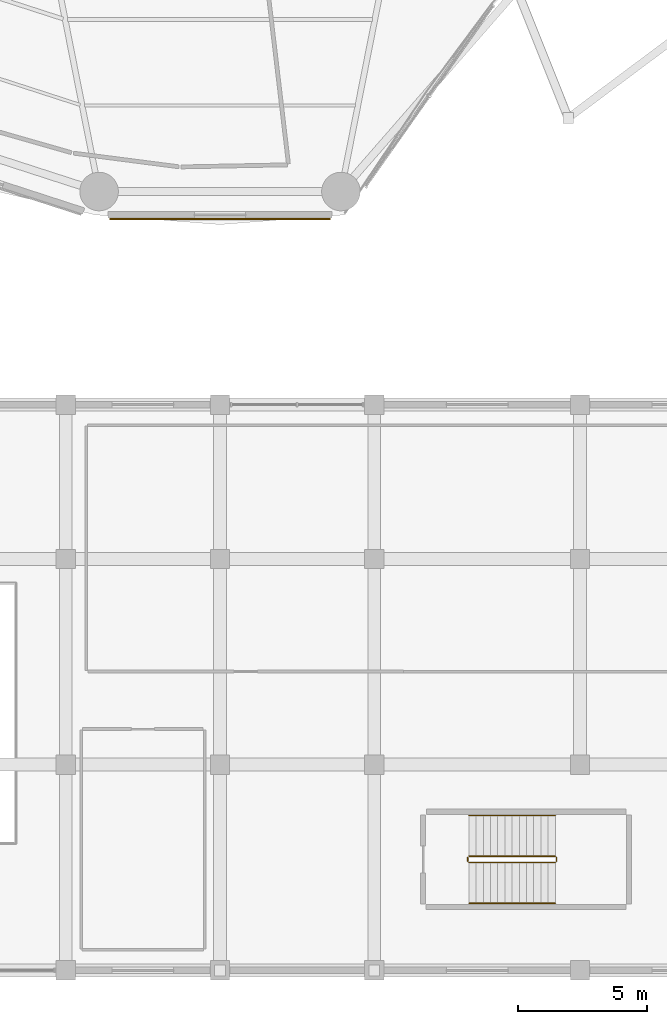
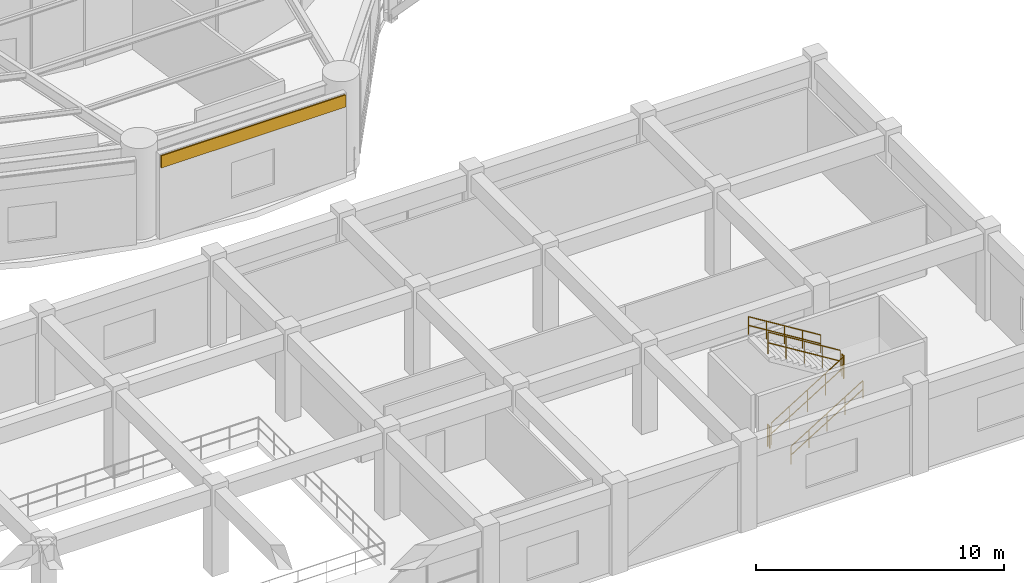
# One storey, part 51 of 55: 6 railings, 1 covering.
"""IFC4 building model written with IfcOpenShell, lengths in metres."""

from ifc_helpers import new_model, si_unit, direction, frame, origin, origin_2d, place, context, subcontext, project, spatial, polyline, rectangle, outline, extrude, source, transform, mapped, material, layer, layer_set, type_object, element, save


model = new_model("IFC4")

# Units and contexts
model_context = context("Model", 3, precision=1e-05, world=origin(), true_north=direction((0.0, 1.0)))
body_context = subcontext(model_context, "Body", "Model", "MODEL_VIEW")
ifc_project = project(units=[si_unit("LENGTHUNIT", "METRE"), si_unit("AREAUNIT", "SQUARE_METRE"), si_unit("VOLUMEUNIT", "CUBIC_METRE"), si_unit("PLANEANGLEUNIT", "RADIAN"), si_unit("MASSUNIT", "GRAM", prefix="KILO")], contexts=[model_context])

# Site, building, storey
site_placement = place(None, origin())
site = spatial("IfcSite", under=ifc_project, at=site_placement, CompositionType="ELEMENT")
building_placement = place(site_placement, origin())
building = spatial("IfcBuilding", under=site, at=building_placement, Name="Kelanora Arch Commons", CompositionType="ELEMENT")
storey_placement = place(building_placement, frame((0.0, 0.0, 4.5)))
storey = spatial("IfcBuildingStorey", under=building, at=storey_placement, Name="L01", CompositionType="ELEMENT", Elevation=4.5)

# Railings
ifc_material_1 = material(Name="Painted steel stair well guard", Category="steel")
railing_type_1 = type_object("IfcRailingType", Name="RAIL-STAIR-GRD", PredefinedType="GUARDRAIL", material=ifc_material_1)
railing_1_placement = place(storey_placement, frame((83.679931640625, 8.18994140625, 0.173095703125)))
element("IfcRailing", 1, at=railing_1_placement, inside=storey, type_object=railing_type_1, Name="L01 ST-M2 stair guard 1", PredefinedType="GUARDRAIL", context=body_context, shape_type="SweptSolid", body=[
    extrude(outline(polyline([(0.02392578125, 0.0), (0.011962890625, 0.020751953125), (-0.011962890625, 0.020751953125), (-0.02392578125, 0.0), (-0.011962890625, -0.020751953125), (0.011962890625, -0.020751953125), (0.02392578125, 0.0)])), frame((0.0, 0.0, 1.076171875), z_axis=(0.850623216509, 0.0, 0.525775754039), x_axis=(0.0, 1.0, 0.0)), (0.0, 0.0, 1.0), 3.9501953125),
    extrude(outline(polyline([(0.02392578125, 0.0), (0.011962890625, 0.020751953125), (-0.011962890625, 0.020751953125), (-0.02392578125, 0.0), (-0.011962890625, -0.020751953125), (0.011962890625, -0.020751953125), (0.02392578125, 0.0)])), frame((0.0, 0.0, 0.550048828125), z_axis=(0.850623216509, 0.0, 0.525775754039), x_axis=(0.0, 1.0, 0.0)), (0.0, 0.0, 1.0), 3.9501953125),
    extrude(outline(polyline([(0.02099609375, 0.0), (0.010498046875, 0.01806640625), (-0.010498046875, 0.01806640625), (-0.02099609375, 0.0), (-0.010498046875, -0.01806640625), (0.010498046875, -0.01806640625), (0.02099609375, 0.0)])), origin(), (0.0, 0.0, 1.0), 1.052001953125),
    extrude(outline(polyline([(0.02099609375, 0.0), (0.010498046875, 0.01806640625), (-0.010498046875, 0.01806640625), (-0.02099609375, 0.0), (-0.010498046875, -0.01806640625), (0.010498046875, -0.01806640625), (0.02099609375, 0.0)])), frame((0.840087890625, 0.0, 0.519287109375)), (0.0, 0.0, 1.0), 1.052001953125),
    extrude(outline(polyline([(0.02099609375, 0.0), (0.010498046875, 0.01806640625), (-0.010498046875, 0.01806640625), (-0.02099609375, 0.0), (-0.010498046875, -0.01806640625), (0.010498046875, -0.01806640625), (0.02099609375, 0.0)])), frame((1.68017578125, 0.0, 1.03857421875)), (0.0, 0.0, 1.0), 1.052001953125),
    extrude(outline(polyline([(0.02099609375, 0.0), (0.010498046875, 0.01806640625), (-0.010498046875, 0.01806640625), (-0.02099609375, 0.0), (-0.010498046875, -0.01806640625), (0.010498046875, -0.01806640625), (0.02099609375, 0.0)])), frame((2.52001953125, 0.0, 1.5576171875)), (0.0, 0.0, 1.0), 1.052001953125),
    extrude(outline(polyline([(0.02099609375, 0.0), (0.010498046875, 0.01806640625), (-0.010498046875, 0.01806640625), (-0.02099609375, 0.0), (-0.010498046875, -0.01806640625), (0.010498046875, -0.01806640625), (0.02099609375, 0.0)])), frame((3.360107421875, 0.0, 2.076904296875)), (0.0, 0.0, 1.0), 1.052001953125),
])
railing_2_placement = place(storey_placement, frame((87.090087890625, 8.239990234375, 2.25)))
element("IfcRailing", 2, at=railing_2_placement, inside=storey, type_object=railing_type_1, Name="L01 ST-M2 stair guard 2", PredefinedType="GUARDRAIL", context=body_context, shape_type="SweptSolid", body=[
    extrude(outline(polyline([(0.02392578125, 0.0), (0.011962890625, 0.020751953125), (-0.011962890625, 0.020751953125), (-0.02392578125, 0.0), (-0.011962890625, -0.020751953125), (0.011962890625, -0.020751953125), (0.02392578125, 0.0)])), frame((0.0, 0.0, 1.076171875), z_axis=(0.0, 1.0, 0.0), x_axis=(-1.0, 0.0, 0.0)), (0.0, 0.0, 1.0), 0.14990234375),
    extrude(outline(polyline([(0.02392578125, 0.0), (0.011962890625, 0.020751953125), (-0.011962890625, 0.020751953125), (-0.02392578125, 0.0), (-0.011962890625, -0.020751953125), (0.011962890625, -0.020751953125), (0.02392578125, 0.0)])), frame((0.0, 0.0, 0.550048828125), z_axis=(0.0, 1.0, 0.0), x_axis=(-1.0, 0.0, 0.0)), (0.0, 0.0, 1.0), 0.14990234375),
    extrude(outline(polyline([(0.02099609375, 0.0), (0.010498046875, 0.01806640625), (-0.010498046875, 0.01806640625), (-0.02099609375, 0.0), (-0.010498046875, -0.01806640625), (0.010498046875, -0.01806640625), (0.02099609375, 0.0)])), origin(), (0.0, 0.0, 1.0), 1.052001953125),
    extrude(outline(polyline([(0.02099609375, 0.0), (0.010498046875, 0.01806640625), (-0.010498046875, 0.01806640625), (-0.02099609375, 0.0), (-0.010498046875, -0.01806640625), (0.010498046875, -0.01806640625), (0.02099609375, 0.0)])), frame((0.0, 0.14990234375, 0.0)), (0.0, 0.0, 1.0), 1.052001953125),
])
railing_3_placement = place(storey_placement, frame((87.0400390625, 8.43994140625, 2.423095703125)))
element("IfcRailing", 3, at=railing_3_placement, inside=storey, type_object=railing_type_1, Name="L01 ST-M2 stair guard 3", PredefinedType="GUARDRAIL", context=body_context, shape_type="SweptSolid", body=[
    extrude(outline(polyline([(0.02392578125, 0.0), (0.011962890625, 0.020751953125), (-0.011962890625, 0.020751953125), (-0.02392578125, 0.0), (-0.011962890625, -0.020751953125), (0.011962890625, -0.020751953125), (0.02392578125, 0.0)])), frame((0.0, 0.0, 1.076171875), z_axis=(-0.850623216509, 0.0, 0.525775754039), x_axis=(0.0, -1.0, 0.0)), (0.0, 0.0, 1.0), 3.9501953125),
    extrude(outline(polyline([(0.02392578125, 0.0), (0.011962890625, 0.020751953125), (-0.011962890625, 0.020751953125), (-0.02392578125, 0.0), (-0.011962890625, -0.020751953125), (0.011962890625, -0.020751953125), (0.02392578125, 0.0)])), frame((0.0, 0.0, 0.550048828125), z_axis=(-0.850623216509, 0.0, 0.525775754039), x_axis=(0.0, -1.0, 0.0)), (0.0, 0.0, 1.0), 3.9501953125),
    extrude(outline(polyline([(0.02099609375, 0.0), (0.010498046875, 0.01806640625), (-0.010498046875, 0.01806640625), (-0.02099609375, 0.0), (-0.010498046875, -0.01806640625), (0.010498046875, -0.01806640625), (0.02099609375, 0.0)])), origin(), (0.0, 0.0, 1.0), 1.052001953125),
    extrude(outline(polyline([(0.02099609375, 0.0), (0.010498046875, 0.01806640625), (-0.010498046875, 0.01806640625), (-0.02099609375, 0.0), (-0.010498046875, -0.01806640625), (0.010498046875, -0.01806640625), (0.02099609375, 0.0)])), frame((-0.840087890625, 0.0, 0.519287109375)), (0.0, 0.0, 1.0), 1.052001953125),
    extrude(outline(polyline([(0.02099609375, 0.0), (0.010498046875, 0.01806640625), (-0.010498046875, 0.01806640625), (-0.02099609375, 0.0), (-0.010498046875, -0.01806640625), (0.010498046875, -0.01806640625), (0.02099609375, 0.0)])), frame((-1.68017578125, 0.0, 1.03857421875)), (0.0, 0.0, 1.0), 1.052001953125),
    extrude(outline(polyline([(0.02099609375, 0.0), (0.010498046875, 0.01806640625), (-0.010498046875, 0.01806640625), (-0.02099609375, 0.0), (-0.010498046875, -0.01806640625), (0.010498046875, -0.01806640625), (0.02099609375, 0.0)])), frame((-2.52001953125, 0.0, 1.5576171875)), (0.0, 0.0, 1.0), 1.052001953125),
    extrude(outline(polyline([(0.02099609375, 0.0), (0.010498046875, 0.01806640625), (-0.010498046875, 0.01806640625), (-0.02099609375, 0.0), (-0.010498046875, -0.01806640625), (0.010498046875, -0.01806640625), (0.02099609375, 0.0)])), frame((-3.360107421875, 0.0, 2.076904296875)), (0.0, 0.0, 1.0), 1.052001953125),
])
railing_4_placement = place(storey_placement, frame((83.6298828125, 8.239990234375, 0.0)))
element("IfcRailing", 4, at=railing_4_placement, inside=storey, type_object=railing_type_1, Name="L01 ST-M2 stair guard 4", PredefinedType="GUARDRAIL", context=body_context, shape_type="SweptSolid", body=[
    extrude(outline(polyline([(0.02392578125, 0.0), (0.011962890625, 0.020751953125), (-0.011962890625, 0.020751953125), (-0.02392578125, 0.0), (-0.011962890625, -0.020751953125), (0.011962890625, -0.020751953125), (0.02392578125, 0.0)])), frame((0.0, 0.0, 1.076171875), z_axis=(0.0, 1.0, 0.0), x_axis=(-1.0, 0.0, 0.0)), (0.0, 0.0, 1.0), 0.14990234375),
    extrude(outline(polyline([(0.02392578125, 0.0), (0.011962890625, 0.020751953125), (-0.011962890625, 0.020751953125), (-0.02392578125, 0.0), (-0.011962890625, -0.020751953125), (0.011962890625, -0.020751953125), (0.02392578125, 0.0)])), frame((0.0, 0.0, 0.550048828125), z_axis=(0.0, 1.0, 0.0), x_axis=(-1.0, 0.0, 0.0)), (0.0, 0.0, 1.0), 0.14990234375),
    extrude(outline(polyline([(0.02099609375, 0.0), (0.010498046875, 0.01806640625), (-0.010498046875, 0.01806640625), (-0.02099609375, 0.0), (-0.010498046875, -0.01806640625), (0.010498046875, -0.01806640625), (0.02099609375, 0.0)])), origin(), (0.0, 0.0, 1.0), 1.052001953125),
    extrude(outline(polyline([(0.02099609375, 0.0), (0.010498046875, 0.01806640625), (-0.010498046875, 0.01806640625), (-0.02099609375, 0.0), (-0.010498046875, -0.01806640625), (0.010498046875, -0.01806640625), (0.02099609375, 0.0)])), frame((0.0, 0.14990234375, 0.0)), (0.0, 0.0, 1.0), 1.052001953125),
])
ifc_material_2 = material(Name="Brushed stainless steel stair handrail", Category="steel")
railing_type_2 = type_object("IfcRailingType", Name="RAIL-STAIR-HND", PredefinedType="HANDRAIL", material=ifc_material_2)
railing_5_placement = place(storey_placement, frame((83.679931640625, 6.610107421875, 0.173095703125)))
element("IfcRailing", 5, at=railing_5_placement, inside=storey, type_object=railing_type_2, Name="L01 ST-M2 stair handrail 1", PredefinedType="HANDRAIL", context=body_context, shape_type="SweptSolid", body=[
    extrude(outline(polyline([(0.02392578125, 0.0), (0.011962890625, 0.020751953125), (-0.011962890625, 0.020751953125), (-0.02392578125, 0.0), (-0.011962890625, -0.020751953125), (0.011962890625, -0.020751953125), (0.02392578125, 0.0)])), frame((0.0, 0.0, 0.8759765625), z_axis=(0.850623216509, 0.0, 0.525775754039), x_axis=(0.0, 1.0, 0.0)), (0.0, 0.0, 1.0), 3.9501953125),
    extrude(outline(polyline([(0.02392578125, 0.0), (0.011962890625, 0.020751953125), (-0.011962890625, 0.020751953125), (-0.02392578125, 0.0), (-0.011962890625, -0.020751953125), (0.011962890625, -0.020751953125), (0.02392578125, 0.0)])), frame((0.0, 0.0, 0.449951171875), z_axis=(0.850623216509, 0.0, 0.525775754039), x_axis=(0.0, 1.0, 0.0)), (0.0, 0.0, 1.0), 3.9501953125),
    extrude(outline(polyline([(0.02099609375, 0.0), (0.010498046875, 0.01806640625), (-0.010498046875, 0.01806640625), (-0.02099609375, 0.0), (-0.010498046875, -0.01806640625), (0.010498046875, -0.01806640625), (0.02099609375, 0.0)])), origin(), (0.0, 0.0, 1.0), 0.851806640625),
    extrude(outline(polyline([(0.02099609375, 0.0), (0.010498046875, 0.01806640625), (-0.010498046875, 0.01806640625), (-0.02099609375, 0.0), (-0.010498046875, -0.01806640625), (0.010498046875, -0.01806640625), (0.02099609375, 0.0)])), frame((0.840087890625, 0.0, 0.519287109375)), (0.0, 0.0, 1.0), 0.851806640625),
    extrude(outline(polyline([(0.02099609375, 0.0), (0.010498046875, 0.01806640625), (-0.010498046875, 0.01806640625), (-0.02099609375, 0.0), (-0.010498046875, -0.01806640625), (0.010498046875, -0.01806640625), (0.02099609375, 0.0)])), frame((1.68017578125, 0.0, 1.03857421875)), (0.0, 0.0, 1.0), 0.851806640625),
    extrude(outline(polyline([(0.02099609375, 0.0), (0.010498046875, 0.01806640625), (-0.010498046875, 0.01806640625), (-0.02099609375, 0.0), (-0.010498046875, -0.01806640625), (0.010498046875, -0.01806640625), (0.02099609375, 0.0)])), frame((2.52001953125, 0.0, 1.5576171875)), (0.0, 0.0, 1.0), 0.851806640625),
    extrude(outline(polyline([(0.02099609375, 0.0), (0.010498046875, 0.01806640625), (-0.010498046875, 0.01806640625), (-0.02099609375, 0.0), (-0.010498046875, -0.01806640625), (0.010498046875, -0.01806640625), (0.02099609375, 0.0)])), frame((3.360107421875, 0.0, 2.076904296875)), (0.0, 0.0, 1.0), 0.851806640625),
])
railing_6_placement = place(storey_placement, frame((87.0400390625, 10.02001953125, 2.423095703125)))
element("IfcRailing", 6, at=railing_6_placement, inside=storey, type_object=railing_type_2, Name="L01 ST-M2 stair handrail 2", PredefinedType="HANDRAIL", context=body_context, shape_type="SweptSolid", body=[
    extrude(outline(polyline([(0.02392578125, 0.0), (0.011962890625, 0.020751953125), (-0.011962890625, 0.020751953125), (-0.02392578125, 0.0), (-0.011962890625, -0.020751953125), (0.011962890625, -0.020751953125), (0.02392578125, 0.0)])), frame((0.0, 0.0, 0.8759765625), z_axis=(-0.850623216509, 0.0, 0.525775754039), x_axis=(0.0, -1.0, 0.0)), (0.0, 0.0, 1.0), 3.9501953125),
    extrude(outline(polyline([(0.02392578125, 0.0), (0.011962890625, 0.020751953125), (-0.011962890625, 0.020751953125), (-0.02392578125, 0.0), (-0.011962890625, -0.020751953125), (0.011962890625, -0.020751953125), (0.02392578125, 0.0)])), frame((0.0, 0.0, 0.449951171875), z_axis=(-0.850623216509, 0.0, 0.525775754039), x_axis=(0.0, -1.0, 0.0)), (0.0, 0.0, 1.0), 3.9501953125),
    extrude(outline(polyline([(0.02099609375, 0.0), (0.010498046875, 0.01806640625), (-0.010498046875, 0.01806640625), (-0.02099609375, 0.0), (-0.010498046875, -0.01806640625), (0.010498046875, -0.01806640625), (0.02099609375, 0.0)])), origin(), (0.0, 0.0, 1.0), 0.851806640625),
    extrude(outline(polyline([(0.02099609375, 0.0), (0.010498046875, 0.01806640625), (-0.010498046875, 0.01806640625), (-0.02099609375, 0.0), (-0.010498046875, -0.01806640625), (0.010498046875, -0.01806640625), (0.02099609375, 0.0)])), frame((-0.840087890625, 0.0, 0.519287109375)), (0.0, 0.0, 1.0), 0.851806640625),
    extrude(outline(polyline([(0.02099609375, 0.0), (0.010498046875, 0.01806640625), (-0.010498046875, 0.01806640625), (-0.02099609375, 0.0), (-0.010498046875, -0.01806640625), (0.010498046875, -0.01806640625), (0.02099609375, 0.0)])), frame((-1.68017578125, 0.0, 1.03857421875)), (0.0, 0.0, 1.0), 0.851806640625),
    extrude(outline(polyline([(0.02099609375, 0.0), (0.010498046875, 0.01806640625), (-0.010498046875, 0.01806640625), (-0.02099609375, 0.0), (-0.010498046875, -0.01806640625), (0.010498046875, -0.01806640625), (0.02099609375, 0.0)])), frame((-2.52001953125, 0.0, 1.5576171875)), (0.0, 0.0, 1.0), 0.851806640625),
    extrude(outline(polyline([(0.02099609375, 0.0), (0.010498046875, 0.01806640625), (-0.010498046875, 0.01806640625), (-0.02099609375, 0.0), (-0.010498046875, -0.01806640625), (0.010498046875, -0.01806640625), (0.02099609375, 0.0)])), frame((-3.360107421875, 0.0, 2.076904296875)), (0.0, 0.0, 1.0), 0.851806640625),
])

# Covering
ifc_material_3 = material(Name="Glazed architectural terracotta spandrel cladding", Category="masonry")
ifc_layer = layer(ifc_material_3, 0.06005859375)
ifc_layer_set = layer_set([ifc_layer], Name="Glazed architectural terracotta spandrel cladding")
covering_type = type_object("IfcCoveringType", Name="COV-CLAD-TC", PredefinedType="CLADDING", material=ifc_layer_set)
shared_shape = source(origin(), body_context, "Body", "SweptSolid", [
    extrude(rectangle(XDim=8.591796875, YDim=0.06005859375, at=origin_2d()), origin(), (0.0, 0.0, 1.0), 0.60009765625),
])
covering_placement = place(storey_placement, frame((74.0, 33.2216796875, 3.534912109375), z_axis=(0.0, 0.0, 1.0), x_axis=(1.0, 0.0, 0.0)))
element("IfcCovering", 7, at=covering_placement, inside=storey, type_object=covering_type, Name="Terracotta Spandrel Cladding L01-B13", PredefinedType="CLADDING", context=body_context, shape_type="MappedRepresentation", body=[
    mapped(shared_shape, transform((0.0, 0.0, 0.0), scale=1.0)),
])

save(model, "model.ifc")
